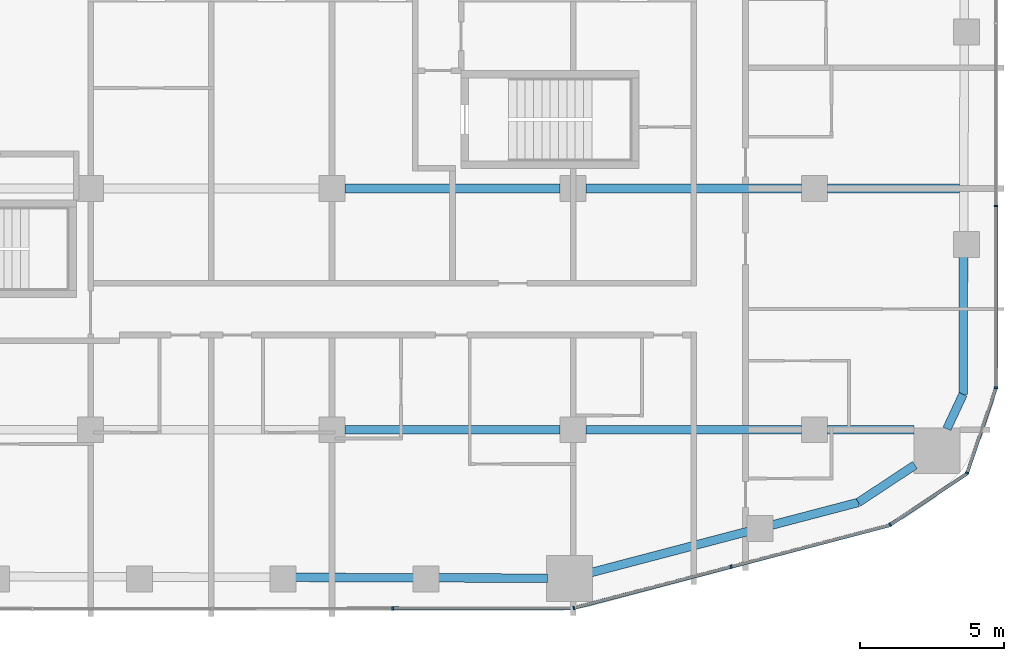
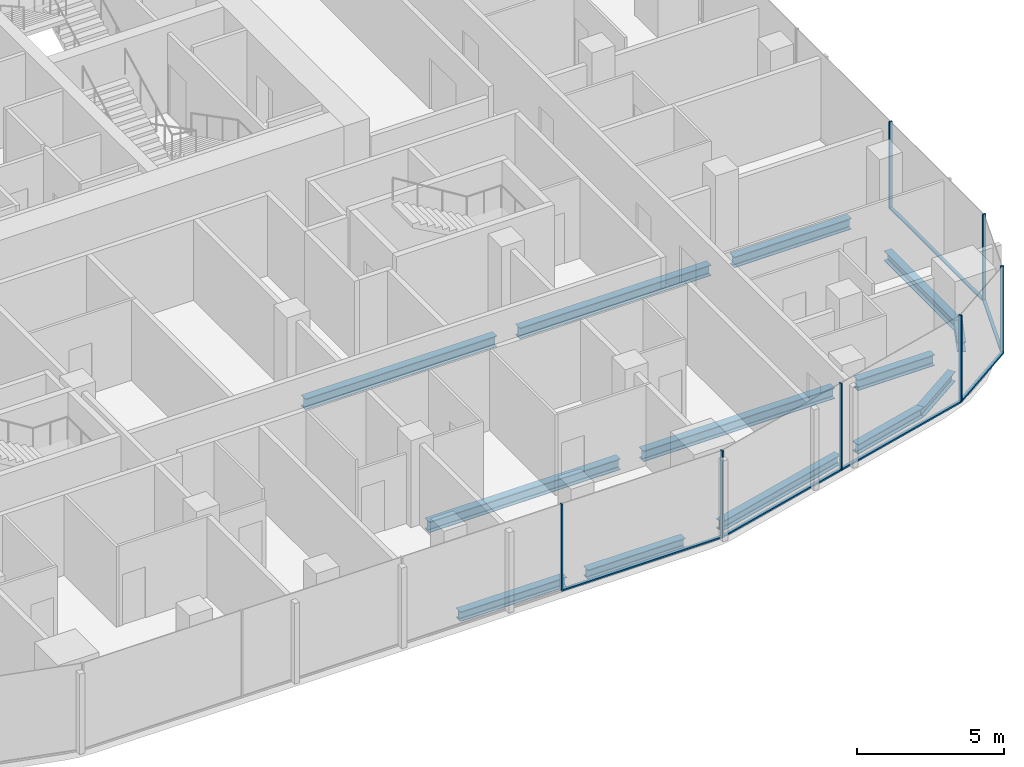
# One storey, part 6 of 23: 13 beams, 13 members, 5 elements without a shape of their own.
"""IFC4 building model written with IfcOpenShell, lengths in metres."""

from ifc_helpers import new_model, si_unit, direction, frame, origin, origin_2d, place, context, subcontext, project, spatial, rectangle, i_section, extrude, material, layer, layer_set, material_profile, profile_set, type_object, element, aggregate, save


model = new_model("IFC4")

# Units and contexts
model_context = context("Model", 3, precision=1e-05, world=origin(), true_north=direction((0.0, 1.0)))
body_context = subcontext(model_context, "Body", "Model", "MODEL_VIEW")
ifc_project = project(units=[si_unit("LENGTHUNIT", "METRE"), si_unit("AREAUNIT", "SQUARE_METRE"), si_unit("VOLUMEUNIT", "CUBIC_METRE"), si_unit("PLANEANGLEUNIT", "RADIAN"), si_unit("MASSUNIT", "GRAM", prefix="KILO")], contexts=[model_context])

# Site, building, storey
site_placement = place(None, origin())
site = spatial("IfcSite", under=ifc_project, at=site_placement, CompositionType="ELEMENT")
building_placement = place(site_placement, origin())
building = spatial("IfcBuilding", under=site, at=building_placement, Name="Marenta Gate Hotel Tower", CompositionType="ELEMENT")
storey_placement = place(building_placement, frame((0.0, 0.0, 126.5)))
storey = spatial("IfcBuildingStorey", under=building, at=storey_placement, Name="L28", CompositionType="ELEMENT", Elevation=126.5)

# Beams
ifc_material_1 = material(Name="Steel S355", Category="steel")
ifc_material_profile_1 = material_profile(ifc_material_1, i_section(OverallWidth=0.300048828125, OverallDepth=0.39990234375, WebThickness=0.013427734375, FlangeThickness=0.02392578125, FilletRadius=0.027099609375, at=origin_2d()), Name="HEB 400")
ifc_profile_set_1 = profile_set([ifc_material_profile_1], Name="Steel S355")
beam_type_1 = type_object("IfcBeamType", Name="Edge beam HEB 400", PredefinedType="SPANDREL", material=ifc_profile_set_1)
beam_1_placement = place(storey_placement, frame((26.191162109375, -10.761962890625, -0.4599609375), z_axis=(-0.003353298899, -0.999994377677, 0.0), x_axis=(0.999994377677, -0.003353298899, 0.0)))
element("IfcBeam", 1, at=beam_1_placement, inside=storey, type_object=beam_type_1, Name="L28-EB-27", PredefinedType="SPANDREL", context=body_context, shape_type="SweptSolid", body=[
    extrude(i_section(OverallWidth=0.300048828125, OverallDepth=0.39990234375, WebThickness=0.013427734375, FlangeThickness=0.02392578125, FilletRadius=0.027099609375, at=origin_2d()), origin(), (0.0, 0.0, 1.0), 4.80517578125),
])
beam_2_placement = place(storey_placement, frame((26.175048828125, -15.567138671875, -0.4599609375), z_axis=(-0.423207780269, -0.906032656541, 0.0), x_axis=(0.906032656541, -0.423207780269, 0.0)))
element("IfcBeam", 2, at=beam_2_placement, inside=storey, type_object=beam_type_1, Name="L28-EB-28", PredefinedType="SPANDREL", context=body_context, shape_type="SweptSolid", body=[
    extrude(i_section(OverallWidth=0.300048828125, OverallDepth=0.39990234375, WebThickness=0.013427734375, FlangeThickness=0.02392578125, FilletRadius=0.027099609375, at=origin_2d()), origin(), (0.0, 0.0, 1.0), 1.326904296875),
])
beam_3_placement = place(storey_placement, frame((24.496337890625, -18.0322265625, -0.4599609375), z_axis=(-0.834496060599, -0.551013906217, 0.0), x_axis=(0.551013906217, -0.834496060599, 0.0)))
element("IfcBeam", 3, at=beam_3_placement, inside=storey, type_object=beam_type_1, Name="L28-EB-29", PredefinedType="SPANDREL", context=body_context, shape_type="SweptSolid", body=[
    extrude(i_section(OverallWidth=0.300048828125, OverallDepth=0.39990234375, WebThickness=0.013427734375, FlangeThickness=0.02392578125, FilletRadius=0.027099609375, at=origin_2d()), origin(), (0.0, 0.0, 1.0), 2.357177734375),
])
beam_4_placement = place(storey_placement, frame((22.529296875, -19.3310546875, -0.4599609375), z_axis=(-0.967224706208, -0.25392197168, 0.0), x_axis=(0.25392197168, -0.967224706208, 0.0)))
element("IfcBeam", 4, at=beam_4_placement, inside=storey, type_object=beam_type_1, Name="L28-EB-30", PredefinedType="SPANDREL", context=body_context, shape_type="SweptSolid", body=[
    extrude(i_section(OverallWidth=0.300048828125, OverallDepth=0.39990234375, WebThickness=0.013427734375, FlangeThickness=0.02392578125, FilletRadius=0.027099609375, at=origin_2d()), origin(), (0.0, 0.0, 1.0), 3.11328125),
])
beam_5_placement = place(storey_placement, frame((18.695556640625, -20.33740234375, -0.4599609375), z_axis=(-0.96723321901, -0.253889542999, 0.0), x_axis=(0.253889542999, -0.96723321901, 0.0)))
element("IfcBeam", 5, at=beam_5_placement, inside=storey, type_object=beam_type_1, Name="L28-EB-31", PredefinedType="SPANDREL", context=body_context, shape_type="SweptSolid", body=[
    extrude(i_section(OverallWidth=0.300048828125, OverallDepth=0.39990234375, WebThickness=0.013427734375, FlangeThickness=0.02392578125, FilletRadius=0.027099609375, at=origin_2d()), origin(), (0.0, 0.0, 1.0), 5.6533203125),
])
beam_6_placement = place(storey_placement, frame((11.706298828125, -21.97021484375, -0.4599609375), z_axis=(-0.999994883969, 0.003198755307, 0.0), x_axis=(-0.003198755307, -0.999994883969, 0.0)))
element("IfcBeam", 6, at=beam_6_placement, inside=storey, type_object=beam_type_1, Name="L28-EB-32", PredefinedType="SPANDREL", context=body_context, shape_type="SweptSolid", body=[
    extrude(i_section(OverallWidth=0.300048828125, OverallDepth=0.39990234375, WebThickness=0.013427734375, FlangeThickness=0.02392578125, FilletRadius=0.027099609375, at=origin_2d()), origin(), (0.0, 0.0, 1.0), 3.816162109375),
])
beam_7_placement = place(storey_placement, frame((7.070068359375, -21.955322265625, -0.4599609375), z_axis=(-0.999994807487, 0.003222576575, 0.0), x_axis=(-0.003222576575, -0.999994807487, 0.0)))
element("IfcBeam", 7, at=beam_7_placement, inside=storey, type_object=beam_type_1, Name="L28-EB-33", PredefinedType="SPANDREL", context=body_context, shape_type="SweptSolid", body=[
    extrude(i_section(OverallWidth=0.300048828125, OverallDepth=0.39990234375, WebThickness=0.013427734375, FlangeThickness=0.02392578125, FilletRadius=0.027099609375, at=origin_2d()), origin(), (0.0, 0.0, 1.0), 4.166748046875),
])
ifc_material_2 = material(Name="Steel S355", Category="steel")
ifc_material_profile_2 = material_profile(ifc_material_2, i_section(OverallWidth=0.300048828125, OverallDepth=0.449951171875, WebThickness=0.013916015625, FlangeThickness=0.02587890625, FilletRadius=0.027099609375, at=origin_2d()), Name="HEB 450")
ifc_profile_set_2 = profile_set([ifc_material_profile_2], Name="Steel S355")
beam_type_2 = type_object("IfcBeamType", Name="Girder HEB 450", PredefinedType="BEAM", material=ifc_profile_set_2)
for number, where, z_axis, x_axis, name in (
    (8, (4.64990234375, -16.800048828125, -0.485107421875), (1.0, 0.0, 0.0), (0.0, 1.0, 0.0), "L28-GD-5"),
    (9, (13.050048828125, -16.800048828125, -0.485107421875), (1.0, 0.0, 0.0), (0.0, 1.0, 0.0), "L28-GD-6"),
):
    element("IfcBeam", number, at=place(storey_placement, frame(where, z_axis=z_axis, x_axis=x_axis)), inside=storey, type_object=beam_type_2, Name=name, PredefinedType="BEAM", context=body_context, shape_type="SweptSolid", body=[
        extrude(i_section(OverallWidth=0.300048828125, OverallDepth=0.449951171875, WebThickness=0.013916015625, FlangeThickness=0.02587890625, FilletRadius=0.027099609375, at=origin_2d()), origin(), (0.0, 0.0, 1.0), 7.5),
    ])
beam_8_placement = place(storey_placement, frame((21.449951171875, -16.800048828125, -0.485107421875), z_axis=(1.0, 0.0, 0.0), x_axis=(0.0, 1.0, 0.0)))
element("IfcBeam", 10, at=beam_8_placement, inside=storey, type_object=beam_type_2, Name="L28-GD-7", PredefinedType="BEAM", context=body_context, shape_type="SweptSolid", body=[
    extrude(i_section(OverallWidth=0.300048828125, OverallDepth=0.449951171875, WebThickness=0.013916015625, FlangeThickness=0.02587890625, FilletRadius=0.027099609375, at=origin_2d()), origin(), (0.0, 0.0, 1.0), 3.012939453125),
])
for number, where, z_axis, x_axis, name in (
    (11, (4.64990234375, -8.39990234375, -0.485107421875), (1.0, 0.0, 0.0), (0.0, 1.0, 0.0), "L28-GD-12"),
    (12, (13.050048828125, -8.39990234375, -0.485107421875), (1.0, 0.0, 0.0), (0.0, 1.0, 0.0), "L28-GD-13"),
):
    element("IfcBeam", number, at=place(storey_placement, frame(where, z_axis=z_axis, x_axis=x_axis)), inside=storey, type_object=beam_type_2, Name=name, PredefinedType="BEAM", context=body_context, shape_type="SweptSolid", body=[
        extrude(i_section(OverallWidth=0.300048828125, OverallDepth=0.449951171875, WebThickness=0.013916015625, FlangeThickness=0.02587890625, FilletRadius=0.027099609375, at=origin_2d()), origin(), (0.0, 0.0, 1.0), 7.5),
    ])
beam_9_placement = place(storey_placement, frame((21.449951171875, -8.39990234375, -0.485107421875), z_axis=(1.0, 0.0, 0.0), x_axis=(0.0, 1.0, 0.0)))
element("IfcBeam", 13, at=beam_9_placement, inside=storey, type_object=beam_type_2, Name="L28-GD-14", PredefinedType="BEAM", context=body_context, shape_type="SweptSolid", body=[
    extrude(i_section(OverallWidth=0.300048828125, OverallDepth=0.449951171875, WebThickness=0.013916015625, FlangeThickness=0.02587890625, FilletRadius=0.027099609375, at=origin_2d()), origin(), (0.0, 0.0, 1.0), 4.59912109375),
])

# Curtain wall, member
ifc_material_3 = material(Name="Tinted insulated glass in bronze anodised frame", Category="glass")
ifc_layer = layer(ifc_material_3, 0.1201171875)
ifc_layer_set = layer_set([ifc_layer], Name="Tinted insulated glass in bronze anodised frame")
curtain_wall_type = type_object("IfcCurtainWallType", Name="Tower unitised curtain wall CW1", PredefinedType="NOTDEFINED", material=ifc_layer_set)
curtain_wall_1_placement = place(storey_placement, origin())
curtain_wall_1 = element("IfcCurtainWall", 14, at=curtain_wall_1_placement, inside=storey, type_object=curtain_wall_type, Name="CW1 run G07", PredefinedType="NOTDEFINED")
ifc_material_4 = material(Name="Bronze anodised aluminium", Category="aluminium")
ifc_material_profile_3 = material_profile(ifc_material_4, rectangle(XDim=0.1201171875, YDim=0.06005859375, at=origin_2d()), Name="Mullion CW1 60x120 bronze anodised aluminium")
ifc_profile_set_3 = profile_set([ifc_material_profile_3], Name="Bronze anodised aluminium")
member_type_1 = type_object("IfcMemberType", Name="Mullion CW1 60x120 bronze anodised aluminium", PredefinedType="MULLION", material=ifc_profile_set_3)
member_1_placement = place(storey_placement, frame((6.32177734375, -23.021728515625, 0.0), z_axis=(0.0, 0.0, 1.0), x_axis=(-0.001362347707, 0.999999072004, 0.0)))
member_1 = element("IfcMember", 15, at=member_1_placement, type_object=member_type_1, Name="CW1 mullion 4", PredefinedType="MULLION", context=body_context, shape_type="SweptSolid", body=[
    extrude(rectangle(XDim=0.1201171875, YDim=0.06005859375, at=origin_2d()), origin(), (0.0, 0.0, 1.0), 3.60009765625),
])

# Curtain wall, members
curtain_wall_2_placement = place(storey_placement, origin())
curtain_wall_2 = element("IfcCurtainWall", 16, at=curtain_wall_2_placement, inside=storey, type_object=curtain_wall_type, Name="CW1 run G08", PredefinedType="NOTDEFINED")
member_2_placement = place(storey_placement, frame((12.626708984375, -23.005615234375, 0.0), z_axis=(0.0, 0.0, 1.0), x_axis=(-0.253374270473, 0.967368326473, 0.0)))
member_2 = element("IfcMember", 17, at=member_2_placement, type_object=member_type_1, Name="CW1 mullion 1", PredefinedType="MULLION", context=body_context, shape_type="SweptSolid", body=[
    extrude(rectangle(XDim=0.1201171875, YDim=0.06005859375, at=origin_2d()), origin(), (0.0, 0.0, 1.0), 3.60009765625),
])
member_3_placement = place(storey_placement, frame((18.102783203125, -21.571533203125, 0.0), z_axis=(0.0, 0.0, 1.0), x_axis=(-0.253374270473, 0.967368326473, 0.0)))
member_3 = element("IfcMember", 18, at=member_3_placement, type_object=member_type_1, Name="CW1 mullion 2", PredefinedType="MULLION", context=body_context, shape_type="SweptSolid", body=[
    extrude(rectangle(XDim=0.1201171875, YDim=0.06005859375, at=origin_2d()), origin(), (0.0, 0.0, 1.0), 3.60009765625),
])

# Curtain wall, member
curtain_wall_3_placement = place(storey_placement, origin())
curtain_wall_3 = element("IfcCurtainWall", 19, at=curtain_wall_3_placement, inside=storey, type_object=curtain_wall_type, Name="CW1 run G09", PredefinedType="NOTDEFINED")
member_4_placement = place(storey_placement, frame((23.632568359375, -20.113037109375, 0.0), z_axis=(0.0, 0.0, 1.0), x_axis=(-0.554016243423, 0.832505857051, 0.0)))
member_4 = element("IfcMember", 20, at=member_4_placement, type_object=member_type_1, Name="CW1 mullion 1", PredefinedType="MULLION", context=body_context, shape_type="SweptSolid", body=[
    extrude(rectangle(XDim=0.1201171875, YDim=0.06005859375, at=origin_2d()), origin(), (0.0, 0.0, 1.0), 3.60009765625),
])

curtain_wall_4_placement = place(storey_placement, origin())
curtain_wall_4 = element("IfcCurtainWall", 21, at=curtain_wall_4_placement, inside=storey, type_object=curtain_wall_type, Name="CW1 run G10", PredefinedType="NOTDEFINED")
member_5_placement = place(storey_placement, frame((26.314453125, -18.30615234375, 0.0), z_axis=(0.0, 0.0, 1.0), x_axis=(-0.946728385013, 0.322033173773, 0.0)))
member_5 = element("IfcMember", 22, at=member_5_placement, type_object=member_type_1, Name="CW1 mullion 1", PredefinedType="MULLION", context=body_context, shape_type="SweptSolid", body=[
    extrude(rectangle(XDim=0.1201171875, YDim=0.06005859375, at=origin_2d()), origin(), (0.0, 0.0, 1.0), 3.60009765625),
])

# Curtain wall, members
curtain_wall_5_placement = place(storey_placement, origin())
curtain_wall_5 = element("IfcCurtainWall", 23, at=curtain_wall_5_placement, inside=storey, type_object=curtain_wall_type, Name="CW1 run G11", PredefinedType="NOTDEFINED")
member_6_placement = place(storey_placement, frame((27.31396484375, -15.337890625, 0.0), z_axis=(0.0, 0.0, 1.0), x_axis=(-1.0, 0.0, 0.0)))
member_6 = element("IfcMember", 24, at=member_6_placement, type_object=member_type_1, Name="CW1 mullion 1", PredefinedType="MULLION", context=body_context, shape_type="SweptSolid", body=[
    extrude(rectangle(XDim=0.1201171875, YDim=0.06005859375, at=origin_2d()), origin(), (0.0, 0.0, 1.0), 3.60009765625),
])
member_7_placement = place(storey_placement, frame((27.31396484375, -9.008056640625, 0.0), z_axis=(0.0, 0.0, 1.0), x_axis=(-1.0, 0.0, 0.0)))
member_7 = element("IfcMember", 25, at=member_7_placement, type_object=member_type_1, Name="CW1 mullion 2", PredefinedType="MULLION", context=body_context, shape_type="SweptSolid", body=[
    extrude(rectangle(XDim=0.1201171875, YDim=0.06005859375, at=origin_2d()), origin(), (0.0, 0.0, 1.0), 3.60009765625),
])

# Member
ifc_material_5 = material(Name="Bronze anodised aluminium", Category="aluminium")
ifc_material_profile_4 = material_profile(ifc_material_5, rectangle(XDim=0.1201171875, YDim=0.06005859375, at=origin_2d()), Name="Transom CW1 60x120 bronze anodised aluminium")
ifc_profile_set_4 = profile_set([ifc_material_profile_4], Name="Bronze anodised aluminium")
member_type_2 = type_object("IfcMemberType", Name="Transom CW1 60x120 bronze anodised aluminium", PredefinedType="USERDEFINED", material=ifc_profile_set_4)
member_8_placement = place(storey_placement, frame((6.351806640625, -23.021728515625, 0.030029296875), z_axis=(0.999999064231, 0.001368041246, 0.0), x_axis=(-0.001368041246, 0.999999064231, 0.0)))
member_8 = element("IfcMember", 26, at=member_8_placement, type_object=member_type_2, Name="CW1 transom 4.1", ObjectType="TRANSOM", PredefinedType="USERDEFINED", context=body_context, shape_type="SweptSolid", body=[
    extrude(rectangle(XDim=0.1201171875, YDim=0.06005859375, at=origin_2d()), origin(), (0.0, 0.0, 1.0), 6.24609375),
])

aggregate(curtain_wall_1, [member_1, member_8])

member_9_placement = place(storey_placement, frame((12.65576171875, -22.998046875, 0.030029296875), z_axis=(0.967374258372, 0.25335162174, 0.0), x_axis=(-0.25335162174, 0.967374258372, 0.0)))
member_9 = element("IfcMember", 27, at=member_9_placement, type_object=member_type_2, Name="CW1 transom 1.1", ObjectType="TRANSOM", PredefinedType="USERDEFINED", context=body_context, shape_type="SweptSolid", body=[
    extrude(rectangle(XDim=0.1201171875, YDim=0.06005859375, at=origin_2d()), origin(), (0.0, 0.0, 1.0), 5.6005859375),
])

member_10_placement = place(storey_placement, frame((18.1318359375, -21.56396484375, 0.030029296875), z_axis=(0.967364420611, 0.253389182357, 0.0), x_axis=(-0.253389182357, 0.967364420611, 0.0)))
member_10 = element("IfcMember", 28, at=member_10_placement, type_object=member_type_2, Name="CW1 transom 2.1", ObjectType="TRANSOM", PredefinedType="USERDEFINED", context=body_context, shape_type="SweptSolid", body=[
    extrude(rectangle(XDim=0.1201171875, YDim=0.06005859375, at=origin_2d()), origin(), (0.0, 0.0, 1.0), 5.66064453125),
])

aggregate(curtain_wall_2, [member_2, member_3, member_9, member_10])

member_11_placement = place(storey_placement, frame((23.657470703125, -20.096435546875, 0.030029296875), z_axis=(0.832522439521, 0.553991324565, 0.0), x_axis=(-0.553991324565, 0.832522439521, 0.0)))
member_11 = element("IfcMember", 29, at=member_11_placement, type_object=member_type_2, Name="CW1 transom 1.1", ObjectType="TRANSOM", PredefinedType="USERDEFINED", context=body_context, shape_type="SweptSolid", body=[
    extrude(rectangle(XDim=0.1201171875, YDim=0.06005859375, at=origin_2d()), origin(), (0.0, 0.0, 1.0), 3.179931640625),
])

aggregate(curtain_wall_3, [member_4, member_11])

member_12_placement = place(storey_placement, frame((26.32421875, -18.27783203125, 0.030029296875), z_axis=(0.322012379162, 0.946735458123, 0.0), x_axis=(-0.946735458123, 0.322012379162, 0.0)))
member_12 = element("IfcMember", 30, at=member_12_placement, type_object=member_type_2, Name="CW1 transom 1.1", ObjectType="TRANSOM", PredefinedType="USERDEFINED", context=body_context, shape_type="SweptSolid", body=[
    extrude(rectangle(XDim=0.1201171875, YDim=0.06005859375, at=origin_2d()), origin(), (0.0, 0.0, 1.0), 3.07373046875),
])

aggregate(curtain_wall_4, [member_5, member_12])

member_13_placement = place(storey_placement, frame((27.31396484375, -15.30810546875, 0.030029296875), z_axis=(0.0, 1.0, 0.0), x_axis=(-1.0, 0.0, 0.0)))
member_13 = element("IfcMember", 31, at=member_13_placement, type_object=member_type_2, Name="CW1 transom 1.1", ObjectType="TRANSOM", PredefinedType="USERDEFINED", context=body_context, shape_type="SweptSolid", body=[
    extrude(rectangle(XDim=0.1201171875, YDim=0.06005859375, at=origin_2d()), origin(), (0.0, 0.0, 1.0), 6.27001953125),
])

aggregate(curtain_wall_5, [member_6, member_7, member_13])

save(model, "model.ifc")
